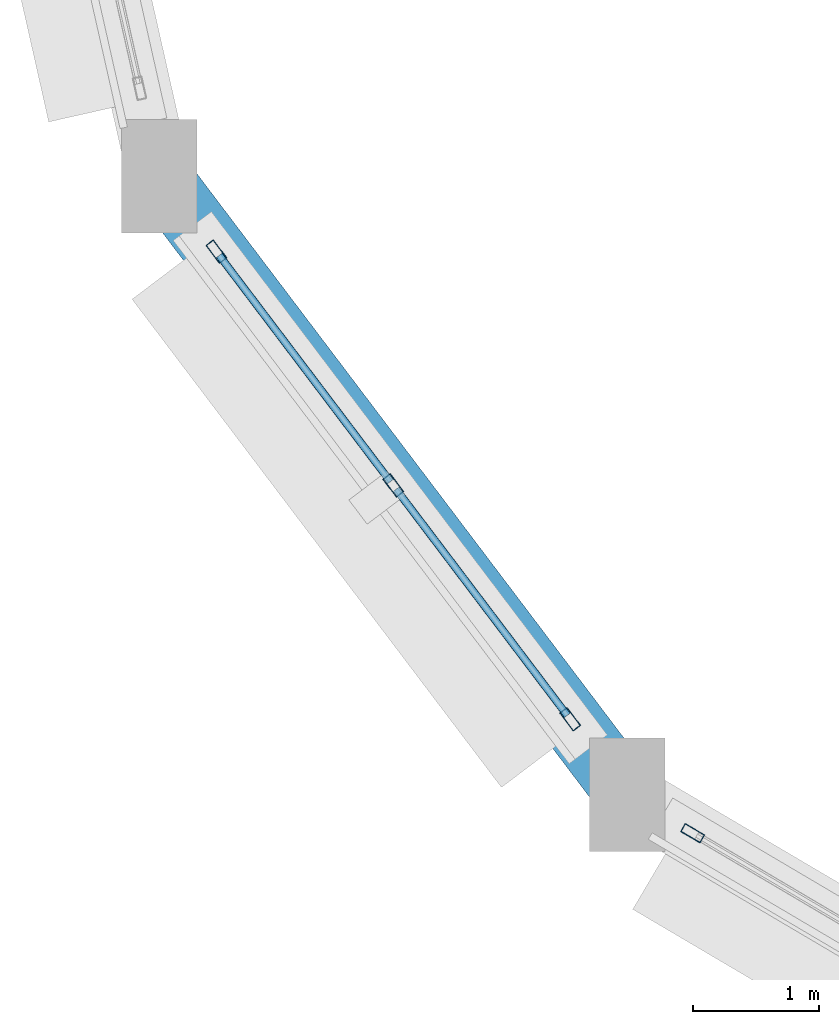
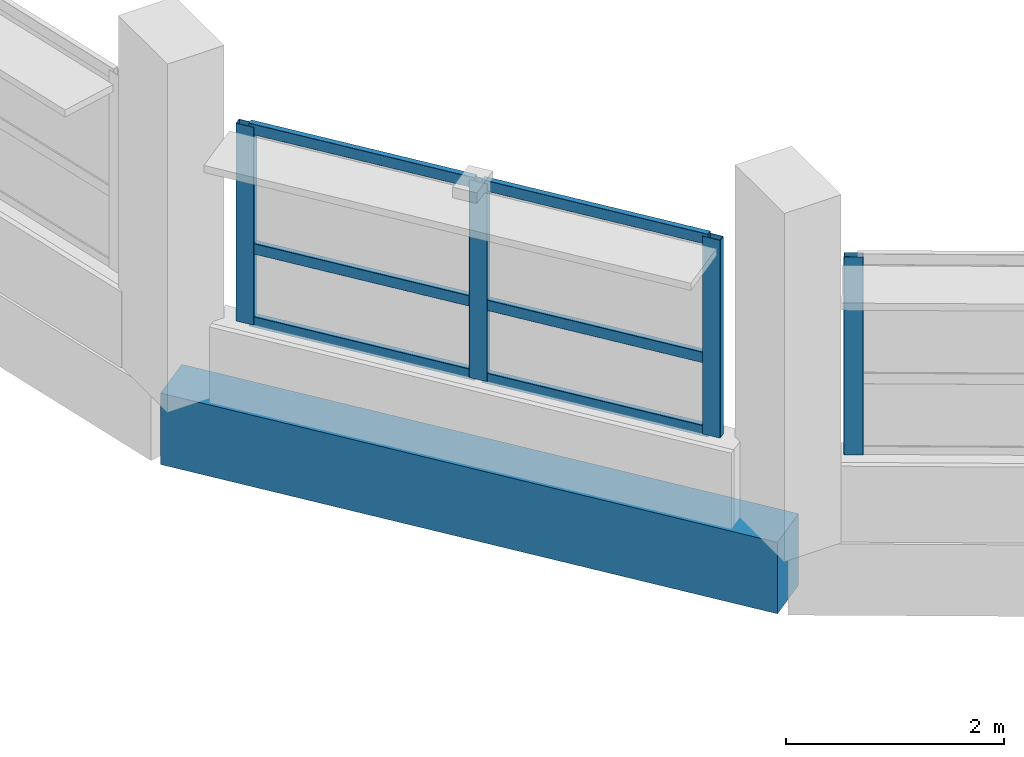
# One storey, part 51 of 121: 10 members, 1 beam, 2 elements without a shape of their own.
"""IFC4 building model written with IfcOpenShell, lengths in metres."""

from ifc_helpers import new_model, si_unit, direction, frame, origin, origin_2d, place, context, subcontext, project, spatial, rectangle, hollow_rectangle, extrude, material, layer, layer_set, material_profile, profile_set, type_object, element, aggregate, save


model = new_model("IFC4")

# Units and contexts
model_context = context("Model", 3, precision=1e-05, world=origin(), true_north=direction((0.0, 1.0)))
body_context = subcontext(model_context, "Body", "Model", "MODEL_VIEW")
ifc_project = project(units=[si_unit("LENGTHUNIT", "METRE"), si_unit("AREAUNIT", "SQUARE_METRE"), si_unit("VOLUMEUNIT", "CUBIC_METRE"), si_unit("PLANEANGLEUNIT", "RADIAN"), si_unit("MASSUNIT", "GRAM", prefix="KILO")], contexts=[model_context])

# Site, building, storey
site_placement = place(None, origin())
site = spatial("IfcSite", under=ifc_project, at=site_placement, CompositionType="ELEMENT")
building_placement = place(site_placement, origin())
building = spatial("IfcBuilding", under=site, at=building_placement, Name="Vespera Passage Community Centre", CompositionType="ELEMENT")
storey_placement = place(building_placement, frame((0.0, 0.0, 8.699951171875)))
storey = spatial("IfcBuildingStorey", under=building, at=storey_placement, Name="L02", CompositionType="ELEMENT", Elevation=8.699951171875)

# Beam
ifc_material_1 = material(Name="Concrete f'c 35 MPa", Category="concrete")
ifc_material_profile_1 = material_profile(ifc_material_1, rectangle(XDim=0.5, YDim=0.800048828125, at=origin_2d()), Name="RC500X800")
ifc_profile_set_1 = profile_set([ifc_material_profile_1], Name="Concrete f'c 35 MPa")
beam_type = type_object("IfcBeamType", Name="BM-SP-500X800E", PredefinedType="SPANDREL", material=ifc_profile_set_1)
beam_placement = place(storey_placement, frame((127.20166015625, 83.721435546875, -0.39990234375), z_axis=(0.603409203322, -0.797431710773, 0.0), x_axis=(0.797431710773, 0.603409203322, 0.0)))
element("IfcBeam", 1, at=beam_placement, inside=storey, type_object=beam_type, Name="V2 L02 Perimeter Spandrel 10", PredefinedType="SPANDREL", context=body_context, shape_type="SweptSolid", body=[
    extrude(rectangle(XDim=0.5, YDim=0.800048828125, at=origin_2d()), origin(), (0.0, 0.0, 1.0), 6.14306640625),
])

# Curtain wall, members
ifc_material_2 = material(Name="Anodized aluminium 6063-T6", Category="aluminium")
ifc_layer_1 = layer(ifc_material_2, 0.159912109375)
ifc_layer_set_1 = layer_set([ifc_layer_1], Name="Anodized aluminium 6063-T6")
curtain_wall_type_1 = type_object("IfcCurtainWallType", Name="CW-98E", PredefinedType="NOTDEFINED", material=ifc_layer_set_1)
curtain_wall_1_placement = place(storey_placement, origin())
curtain_wall_1 = element("IfcCurtainWall", 2, at=curtain_wall_1_placement, inside=storey, type_object=curtain_wall_type_1, Name="Sports Drum Ribbon Curtain Wall L02.10", PredefinedType="NOTDEFINED")
ifc_material_3 = material(Name="Anodized aluminium 6063-T6", Category="aluminium")
ifc_material_profile_2 = material_profile(ifc_material_3, hollow_rectangle(XDim=0.074951171875, YDim=0.179931640625, WallThickness=0.0048828125, InnerFilletRadius=0.00244140625, OuterFilletRadius=0.0048828125, at=origin_2d()), Name="ALU180X75X5")
ifc_profile_set_2 = profile_set([ifc_material_profile_2], Name="Anodized aluminium 6063-T6")
member_type_1 = type_object("IfcMemberType", Name="MB-CWM-180E", PredefinedType="MULLION", material=ifc_profile_set_2)
member_1_placement = place(storey_placement, frame((130.4560546875, 79.42041015625, 0.85009765625), z_axis=(0.0, 0.0, 1.0), x_axis=(-0.797434495654, -0.603405522961, 0.0)))
member_1 = element("IfcMember", 3, at=member_1_placement, type_object=member_type_1, Name="CW-98E mullion 1", PredefinedType="MULLION", context=body_context, shape_type="SweptSolid", body=[
    extrude(hollow_rectangle(XDim=0.074951171875, YDim=0.179931640625, WallThickness=0.0048828125, InnerFilletRadius=0.00244140625, OuterFilletRadius=0.0048828125, at=origin_2d()), origin(), (0.0, 0.0, 1.0), 2.21484375),
])
member_2_placement = place(storey_placement, frame((129.05517578125, 81.272216796875, 0.85009765625), z_axis=(0.0, 0.0, 1.0), x_axis=(-0.797434495654, -0.603405522961, 0.0)))
member_2 = element("IfcMember", 4, at=member_2_placement, type_object=member_type_1, Name="CW-98E mullion 2", PredefinedType="MULLION", context=body_context, shape_type="SweptSolid", body=[
    extrude(hollow_rectangle(XDim=0.074951171875, YDim=0.179931640625, WallThickness=0.0048828125, InnerFilletRadius=0.00244140625, OuterFilletRadius=0.0048828125, at=origin_2d()), origin(), (0.0, 0.0, 1.0), 2.21484375),
])
member_3_placement = place(storey_placement, frame((127.654052734375, 83.123779296875, 0.85009765625), z_axis=(0.0, 0.0, 1.0), x_axis=(-0.797434495654, -0.603405522961, 0.0)))
member_3 = element("IfcMember", 5, at=member_3_placement, type_object=member_type_1, Name="CW-98E mullion 3", PredefinedType="MULLION", context=body_context, shape_type="SweptSolid", body=[
    extrude(hollow_rectangle(XDim=0.074951171875, YDim=0.179931640625, WallThickness=0.0048828125, InnerFilletRadius=0.00244140625, OuterFilletRadius=0.0048828125, at=origin_2d()), origin(), (0.0, 0.0, 1.0), 2.21484375),
])

# Curtain wall, member
ifc_material_4 = material(Name="Anodized aluminium 6063-T6", Category="aluminium")
ifc_layer_2 = layer(ifc_material_4, 0.159912109375)
ifc_layer_set_2 = layer_set([ifc_layer_2], Name="Anodized aluminium 6063-T6")
curtain_wall_type_2 = type_object("IfcCurtainWallType", Name="CW-99E", PredefinedType="NOTDEFINED", material=ifc_layer_set_2)
curtain_wall_2_placement = place(storey_placement, origin())
curtain_wall_2 = element("IfcCurtainWall", 6, at=curtain_wall_2_placement, inside=storey, type_object=curtain_wall_type_2, Name="Sports Drum Ribbon Curtain Wall L02.11", PredefinedType="NOTDEFINED")
member_4_placement = place(storey_placement, frame((131.426025390625, 78.517333984375, 0.85009765625), z_axis=(0.0, 0.0, 1.0), x_axis=(-0.50817007737, -0.861256740157, 0.0)))
member_4 = element("IfcMember", 7, at=member_4_placement, type_object=member_type_1, Name="CW-99E mullion 3", PredefinedType="MULLION", context=body_context, shape_type="SweptSolid", body=[
    extrude(hollow_rectangle(XDim=0.074951171875, YDim=0.179931640625, WallThickness=0.0048828125, InnerFilletRadius=0.00244140625, OuterFilletRadius=0.0048828125, at=origin_2d()), origin(), (0.0, 0.0, 1.0), 2.21484375),
])
aggregate(curtain_wall_2, [member_4])

# Member
ifc_material_5 = material(Name="Anodized aluminium 6063-T6", Category="aluminium")
ifc_material_profile_3 = material_profile(ifc_material_5, hollow_rectangle(XDim=0.06005859375, YDim=0.1201171875, WallThickness=0.00390625, InnerFilletRadius=0.001953125, OuterFilletRadius=0.00390625, at=origin_2d()), Name="ALU120X60X4")
ifc_profile_set_3 = profile_set([ifc_material_profile_3], Name="Anodized aluminium 6063-T6")
member_type_2 = type_object("IfcMemberType", Name="MB-CWT-120E", PredefinedType="USERDEFINED", material=ifc_profile_set_3)
member_5_placement = place(storey_placement, frame((130.43359375, 79.450439453125, 0.880126953125), z_axis=(-0.603453873456, 0.797397907328, 0.0), x_axis=(-0.797397907328, -0.603453873456, 0.0)))
member_5 = element("IfcMember", 8, at=member_5_placement, type_object=member_type_2, Name="CW-98E transom 1.1", ObjectType="TRANSOM", PredefinedType="USERDEFINED", context=body_context, shape_type="SweptSolid", body=[
    extrude(hollow_rectangle(XDim=0.06005859375, YDim=0.1201171875, WallThickness=0.00390625, InnerFilletRadius=0.001953125, OuterFilletRadius=0.00390625, at=origin_2d()), origin(), (0.0, 0.0, 1.0), 2.2470703125),
])

member_6_placement = place(storey_placement, frame((130.43359375, 79.450439453125, 1.699951171875), z_axis=(-0.603453873456, 0.797397907328, 0.0), x_axis=(-0.797397907328, -0.603453873456, 0.0)))
member_6 = element("IfcMember", 9, at=member_6_placement, type_object=member_type_2, Name="CW-98E transom 1.2", ObjectType="TRANSOM", PredefinedType="USERDEFINED", context=body_context, shape_type="SweptSolid", body=[
    extrude(hollow_rectangle(XDim=0.06005859375, YDim=0.1201171875, WallThickness=0.00390625, InnerFilletRadius=0.001953125, OuterFilletRadius=0.00390625, at=origin_2d()), origin(), (0.0, 0.0, 1.0), 2.2470703125),
])

member_7_placement = place(storey_placement, frame((130.43359375, 79.450439453125, 3.03515625), z_axis=(-0.603453873456, 0.797397907328, 0.0), x_axis=(-0.797397907328, -0.603453873456, 0.0)))
member_7 = element("IfcMember", 10, at=member_7_placement, type_object=member_type_2, Name="CW-98E transom 1.3", ObjectType="TRANSOM", PredefinedType="USERDEFINED", context=body_context, shape_type="SweptSolid", body=[
    extrude(hollow_rectangle(XDim=0.06005859375, YDim=0.1201171875, WallThickness=0.00390625, InnerFilletRadius=0.001953125, OuterFilletRadius=0.00390625, at=origin_2d()), origin(), (0.0, 0.0, 1.0), 2.2470703125),
])

member_8_placement = place(storey_placement, frame((129.032470703125, 81.302001953125, 0.880126953125), z_axis=(-0.603384780926, 0.797450190386, 0.0), x_axis=(-0.797450190386, -0.603384780926, 0.0)))
member_8 = element("IfcMember", 11, at=member_8_placement, type_object=member_type_2, Name="CW-98E transom 2.1", ObjectType="TRANSOM", PredefinedType="USERDEFINED", context=body_context, shape_type="SweptSolid", body=[
    extrude(hollow_rectangle(XDim=0.06005859375, YDim=0.1201171875, WallThickness=0.00390625, InnerFilletRadius=0.001953125, OuterFilletRadius=0.00390625, at=origin_2d()), origin(), (0.0, 0.0, 1.0), 2.246826171875),
])

member_9_placement = place(storey_placement, frame((129.032470703125, 81.302001953125, 1.699951171875), z_axis=(-0.603384780926, 0.797450190386, 0.0), x_axis=(-0.797450190386, -0.603384780926, 0.0)))
member_9 = element("IfcMember", 12, at=member_9_placement, type_object=member_type_2, Name="CW-98E transom 2.2", ObjectType="TRANSOM", PredefinedType="USERDEFINED", context=body_context, shape_type="SweptSolid", body=[
    extrude(hollow_rectangle(XDim=0.06005859375, YDim=0.1201171875, WallThickness=0.00390625, InnerFilletRadius=0.001953125, OuterFilletRadius=0.00390625, at=origin_2d()), origin(), (0.0, 0.0, 1.0), 2.246826171875),
])

member_10_placement = place(storey_placement, frame((129.032470703125, 81.302001953125, 3.03515625), z_axis=(-0.603384780926, 0.797450190386, 0.0), x_axis=(-0.797450190386, -0.603384780926, 0.0)))
member_10 = element("IfcMember", 13, at=member_10_placement, type_object=member_type_2, Name="CW-98E transom 2.3", ObjectType="TRANSOM", PredefinedType="USERDEFINED", context=body_context, shape_type="SweptSolid", body=[
    extrude(hollow_rectangle(XDim=0.06005859375, YDim=0.1201171875, WallThickness=0.00390625, InnerFilletRadius=0.001953125, OuterFilletRadius=0.00390625, at=origin_2d()), origin(), (0.0, 0.0, 1.0), 2.246826171875),
])

aggregate(curtain_wall_1, [member_1, member_2, member_3, member_5, member_6, member_7, member_8, member_9, member_10])

save(model, "model.ifc")
